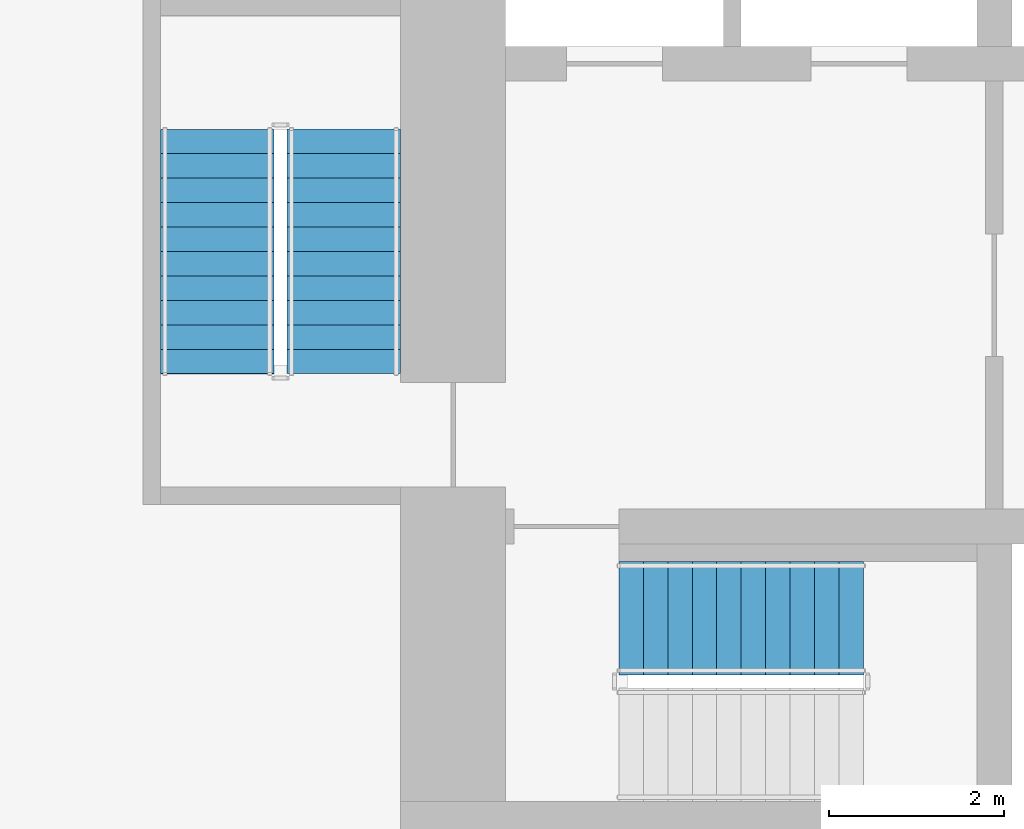
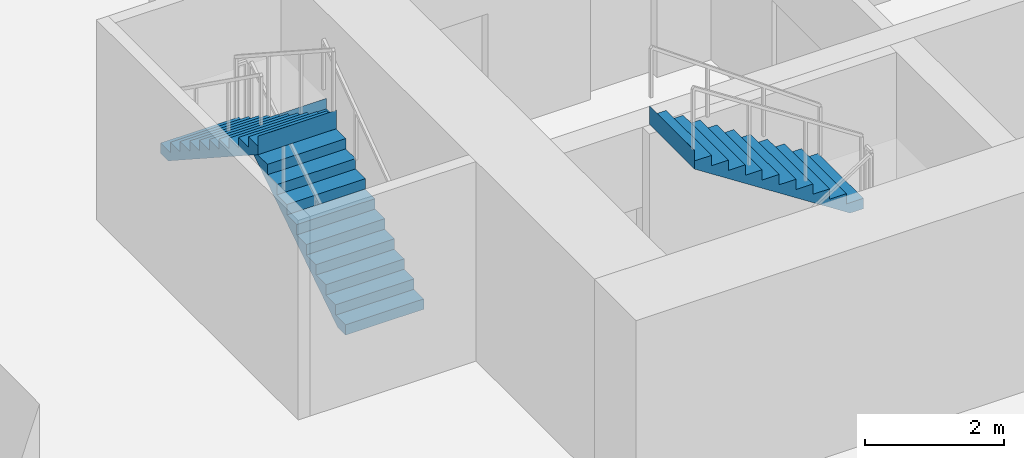
# One storey, part 33 of 45: 3 stair flights, 2 elements without a shape of their own.
"""IFC4 building model written with IfcOpenShell, lengths in metres."""

from ifc_helpers import new_model, si_unit, direction, frame, origin, place, context, subcontext, project, spatial, triangles, material, type_object, element, aggregate, save


model = new_model("IFC4")

# Units and contexts
model_context = context("Model", 3, precision=1e-05, world=origin(), true_north=direction((0.0, 1.0)))
body_context = subcontext(model_context, "Body", "Model", "MODEL_VIEW")
ifc_project = project(units=[si_unit("LENGTHUNIT", "METRE"), si_unit("AREAUNIT", "SQUARE_METRE"), si_unit("VOLUMEUNIT", "CUBIC_METRE"), si_unit("PLANEANGLEUNIT", "RADIAN"), si_unit("MASSUNIT", "GRAM", prefix="KILO")], contexts=[model_context])

# Site, building, storey
site_placement = place(None, origin())
site = spatial("IfcSite", under=ifc_project, at=site_placement, CompositionType="ELEMENT")
building_placement = place(site_placement, origin())
building = spatial("IfcBuilding", under=site, at=building_placement, Name="Beryl Residences", CompositionType="ELEMENT")
storey_placement = place(building_placement, frame((0.0, 0.0, 5.0)))
storey = spatial("IfcBuildingStorey", under=building, at=storey_placement, Name="L01", CompositionType="ELEMENT", Elevation=5.0)

# Stair, stair flight
ifc_material_1 = material(Name="Concrete C40/50", Category="concrete")
stair_type = type_object("IfcStairType", Name="ST1 protected exit stair, half-turn, 1300 mm flights", PredefinedType="HALF_TURN_STAIR", material=ifc_material_1)
stair_1_placement = place(storey_placement, origin())
stair_1 = element("IfcStair", 1, at=stair_1_placement, inside=storey, type_object=stair_type, Name="L01 PROTECTED EXIT STAIR ST-1", PredefinedType="HALF_TURN_STAIR")
ifc_material_2 = material(Name="Concrete C40/50", Category="concrete")
stair_flight_type = type_object("IfcStairFlightType", Name="SF1 stair flight 1300 mm", PredefinedType="STRAIGHT", material=ifc_material_2)
stair_flight_1_placement = place(storey_placement, frame((-8.0, -15.699951171875, 2.0), z_axis=(0.0, 0.0, 1.0), x_axis=(-1.0, 0.0, 0.0)))
stair_flight_1 = element("IfcStairFlight", 2, at=stair_flight_1_placement, type_object=stair_flight_type, Name="ST-1 flight 2", NumberOfRisers=11, NumberOfTreads=10, PredefinedType="STRAIGHT", RiserHeight=0.181818182, TreadLength=0.28, context=body_context, shape_type="Tessellation", body=[
    triangles([(0.0, -0.64990234375, 0.0), (0.0, -0.324951171875, 0.0), (0.0, 0.0, 0.0), (0.0, 0.324951171875, 0.0), (0.0, 0.64990234375, 0.0), (0.0, -0.64990234375, 0.181884765625), (0.0, -0.324951171875, 0.181884765625), (0.0, 0.0, 0.181884765625), (0.0, 0.324951171875, 0.181884765625), (0.0, 0.64990234375, 0.181884765625), (0.280029296875, -0.64990234375, 0.181884765625), (0.280029296875, -0.324951171875, 0.181884765625), (0.280029296875, 0.0, 0.181884765625), (0.280029296875, 0.324951171875, 0.181884765625), (0.280029296875, 0.64990234375, 0.181884765625), (0.280029296875, -0.64990234375, 0.363525390625), (0.280029296875, -0.324951171875, 0.363525390625), (0.280029296875, 0.0, 0.363525390625), (0.280029296875, 0.324951171875, 0.363525390625), (0.280029296875, 0.64990234375, 0.363525390625), (0.56005859375, -0.64990234375, 0.363525390625), (0.56005859375, -0.324951171875, 0.363525390625), (0.56005859375, 0.0, 0.363525390625), (0.56005859375, 0.324951171875, 0.363525390625), (0.56005859375, 0.64990234375, 0.363525390625), (0.56005859375, -0.64990234375, 0.54541015625), (0.56005859375, -0.324951171875, 0.54541015625), (0.56005859375, 0.0, 0.54541015625), (0.56005859375, 0.324951171875, 0.54541015625), (0.56005859375, 0.64990234375, 0.54541015625), (0.840087890625, -0.64990234375, 0.54541015625), (0.840087890625, -0.324951171875, 0.54541015625), (0.840087890625, 0.0, 0.54541015625), (0.840087890625, 0.324951171875, 0.54541015625), (0.840087890625, 0.64990234375, 0.54541015625), (0.840087890625, -0.64990234375, 0.727294921875), (0.840087890625, -0.324951171875, 0.727294921875), (0.840087890625, 0.0, 0.727294921875), (0.840087890625, 0.324951171875, 0.727294921875), (0.840087890625, 0.64990234375, 0.727294921875), (1.1201171875, -0.64990234375, 0.727294921875), (1.1201171875, -0.324951171875, 0.727294921875), (1.1201171875, 0.0, 0.727294921875), (1.1201171875, 0.324951171875, 0.727294921875), (1.1201171875, 0.64990234375, 0.727294921875), (1.1201171875, -0.64990234375, 0.9091796875), (1.1201171875, -0.324951171875, 0.9091796875), (1.1201171875, 0.0, 0.9091796875), (1.1201171875, 0.324951171875, 0.9091796875), (1.1201171875, 0.64990234375, 0.9091796875), (1.39990234375, -0.64990234375, 0.9091796875), (1.39990234375, -0.324951171875, 0.9091796875), (1.39990234375, 0.0, 0.9091796875), (1.39990234375, 0.324951171875, 0.9091796875), (1.39990234375, 0.64990234375, 0.9091796875), (1.39990234375, -0.64990234375, 1.0908203125), (1.39990234375, -0.324951171875, 1.0908203125), (1.39990234375, 0.0, 1.0908203125), (1.39990234375, 0.324951171875, 1.0908203125), (1.39990234375, 0.64990234375, 1.0908203125), (1.679931640625, -0.64990234375, 1.0908203125), (1.679931640625, -0.324951171875, 1.0908203125), (1.679931640625, 0.0, 1.0908203125), (1.679931640625, 0.324951171875, 1.0908203125), (1.679931640625, 0.64990234375, 1.0908203125), (1.679931640625, -0.64990234375, 1.272705078125), (1.679931640625, -0.324951171875, 1.272705078125), (1.679931640625, 0.0, 1.272705078125), (1.679931640625, 0.324951171875, 1.272705078125), (1.679931640625, 0.64990234375, 1.272705078125), (1.9599609375, -0.64990234375, 1.272705078125), (1.9599609375, -0.324951171875, 1.272705078125), (1.9599609375, 0.0, 1.272705078125), (1.9599609375, 0.324951171875, 1.272705078125), (1.9599609375, 0.64990234375, 1.272705078125), (1.9599609375, -0.64990234375, 1.45458984375), (1.9599609375, -0.324951171875, 1.45458984375), (1.9599609375, 0.0, 1.45458984375), (1.9599609375, 0.324951171875, 1.45458984375), (1.9599609375, 0.64990234375, 1.45458984375), (2.239990234375, -0.64990234375, 1.45458984375), (2.239990234375, -0.324951171875, 1.45458984375), (2.239990234375, 0.0, 1.45458984375), (2.239990234375, 0.324951171875, 1.45458984375), (2.239990234375, 0.64990234375, 1.45458984375), (2.239990234375, -0.64990234375, 1.636474609375), (2.239990234375, -0.324951171875, 1.636474609375), (2.239990234375, 0.0, 1.636474609375), (2.239990234375, 0.324951171875, 1.636474609375), (2.239990234375, 0.64990234375, 1.636474609375), (2.52001953125, -0.64990234375, 1.636474609375), (2.52001953125, -0.324951171875, 1.636474609375), (2.52001953125, 0.0, 1.636474609375), (2.52001953125, 0.324951171875, 1.636474609375), (2.52001953125, 0.64990234375, 1.636474609375), (2.52001953125, -0.64990234375, 1.818115234375), (2.52001953125, -0.324951171875, 1.818115234375), (2.52001953125, 0.0, 1.818115234375), (2.52001953125, 0.324951171875, 1.818115234375), (2.52001953125, 0.64990234375, 1.818115234375), (2.800048828125, -0.64990234375, 1.818115234375), (2.800048828125, -0.324951171875, 1.818115234375), (2.800048828125, 0.0, 1.818115234375), (2.800048828125, 0.324951171875, 1.818115234375), (2.800048828125, 0.64990234375, 1.818115234375), (2.800048828125, -0.64990234375, 2.0), (2.800048828125, -0.324951171875, 2.0), (2.800048828125, 0.0, 2.0), (2.800048828125, 0.324951171875, 2.0), (2.800048828125, 0.64990234375, 2.0), (2.801025390625, -0.64990234375, 2.0), (2.801025390625, -0.324951171875, 2.0), (2.801025390625, 0.0, 2.0), (2.801025390625, 0.324951171875, 2.0), (2.801025390625, 0.64990234375, 2.0), (2.801025390625, -0.64990234375, 1.675048828125), (2.801025390625, -0.324951171875, 1.675048828125), (2.801025390625, 0.0, 1.675048828125), (2.801025390625, 0.324951171875, 1.675048828125), (2.801025390625, 0.64990234375, 1.675048828125), (0.221435546875, -0.64990234375, 0.0), (0.221435546875, -0.324951171875, 0.0), (0.221435546875, 0.0, 0.0), (0.221435546875, 0.324951171875, 0.0), (0.221435546875, 0.64990234375, 0.0)], [[1, 6, 7], [1, 7, 2], [2, 7, 8], [2, 8, 3], [3, 8, 9], [3, 9, 4], [4, 9, 10], [4, 10, 5], [6, 11, 12], [6, 12, 7], [7, 12, 13], [7, 13, 8], [8, 13, 14], [8, 14, 9], [9, 14, 15], [9, 15, 10], [11, 16, 17], [11, 17, 12], [12, 17, 18], [12, 18, 13], [13, 18, 19], [13, 19, 14], [14, 19, 20], [14, 20, 15], [16, 21, 22], [16, 22, 17], [17, 22, 23], [17, 23, 18], [18, 23, 24], [18, 24, 19], [19, 24, 25], [19, 25, 20], [21, 26, 27], [21, 27, 22], [22, 27, 28], [22, 28, 23], [23, 28, 29], [23, 29, 24], [24, 29, 30], [24, 30, 25], [26, 31, 32], [26, 32, 27], [27, 32, 33], [27, 33, 28], [28, 33, 34], [28, 34, 29], [29, 34, 35], [29, 35, 30], [31, 36, 37], [31, 37, 32], [32, 37, 38], [32, 38, 33], [33, 38, 39], [33, 39, 34], [34, 39, 40], [34, 40, 35], [36, 41, 42], [36, 42, 37], [37, 42, 43], [37, 43, 38], [38, 43, 44], [38, 44, 39], [39, 44, 45], [39, 45, 40], [41, 46, 47], [41, 47, 42], [42, 47, 48], [42, 48, 43], [43, 48, 49], [43, 49, 44], [44, 49, 50], [44, 50, 45], [46, 51, 52], [46, 52, 47], [47, 52, 53], [47, 53, 48], [48, 53, 54], [48, 54, 49], [49, 54, 55], [49, 55, 50], [51, 56, 57], [51, 57, 52], [52, 57, 58], [52, 58, 53], [53, 58, 59], [53, 59, 54], [54, 59, 60], [54, 60, 55], [56, 61, 62], [56, 62, 57], [57, 62, 63], [57, 63, 58], [58, 63, 64], [58, 64, 59], [59, 64, 65], [59, 65, 60], [61, 66, 67], [61, 67, 62], [62, 67, 68], [62, 68, 63], [63, 68, 69], [63, 69, 64], [64, 69, 70], [64, 70, 65], [66, 71, 72], [66, 72, 67], [67, 72, 73], [67, 73, 68], [68, 73, 74], [68, 74, 69], [69, 74, 75], [69, 75, 70], [71, 76, 77], [71, 77, 72], [72, 77, 78], [72, 78, 73], [73, 78, 79], [73, 79, 74], [74, 79, 80], [74, 80, 75], [76, 81, 82], [76, 82, 77], [77, 82, 83], [77, 83, 78], [78, 83, 84], [78, 84, 79], [79, 84, 85], [79, 85, 80], [81, 86, 87], [81, 87, 82], [82, 87, 88], [82, 88, 83], [83, 88, 89], [83, 89, 84], [84, 89, 90], [84, 90, 85], [86, 91, 92], [86, 92, 87], [87, 92, 93], [87, 93, 88], [88, 93, 94], [88, 94, 89], [89, 94, 95], [89, 95, 90], [91, 96, 97], [91, 97, 92], [92, 97, 98], [92, 98, 93], [93, 98, 99], [93, 99, 94], [94, 99, 100], [94, 100, 95], [96, 101, 102], [96, 102, 97], [97, 102, 103], [97, 103, 98], [98, 103, 104], [98, 104, 99], [99, 104, 105], [99, 105, 100], [101, 106, 107], [101, 107, 102], [102, 107, 108], [102, 108, 103], [103, 108, 109], [103, 109, 104], [104, 109, 110], [104, 110, 105], [106, 111, 112], [106, 112, 107], [107, 112, 113], [107, 113, 108], [108, 113, 114], [108, 114, 109], [109, 114, 115], [109, 115, 110], [111, 116, 117], [111, 117, 112], [112, 117, 118], [112, 118, 113], [113, 118, 119], [113, 119, 114], [114, 119, 120], [114, 120, 115], [116, 121, 122], [116, 122, 117], [117, 122, 123], [117, 123, 118], [118, 123, 124], [118, 124, 119], [119, 124, 125], [119, 125, 120], [121, 1, 2], [121, 2, 122], [122, 2, 3], [122, 3, 123], [123, 3, 4], [123, 4, 124], [124, 4, 5], [124, 5, 125], [1, 121, 116], [5, 120, 125], [116, 111, 106], [120, 110, 115], [116, 106, 101], [120, 105, 110], [116, 101, 96], [120, 100, 105], [116, 96, 91], [120, 95, 100], [91, 86, 81], [95, 85, 90], [116, 91, 81], [120, 85, 95], [81, 76, 71], [85, 75, 80], [116, 81, 71], [120, 75, 85], [71, 66, 61], [75, 65, 70], [116, 71, 61], [120, 65, 75], [61, 56, 51], [65, 55, 60], [116, 61, 51], [120, 55, 65], [51, 46, 41], [55, 45, 50], [116, 51, 41], [120, 45, 55], [41, 36, 31], [45, 35, 40], [116, 41, 31], [120, 35, 45], [31, 26, 21], [35, 25, 30], [116, 31, 21], [120, 25, 35], [1, 116, 21], [5, 25, 120], [21, 16, 11], [25, 15, 20], [1, 21, 11], [5, 15, 25], [11, 6, 1], [15, 5, 10]], closed=True),
])
aggregate(stair_1, [stair_flight_1])

# Stair, stair flights
stair_2_placement = place(storey_placement, origin())
stair_2 = element("IfcStair", 3, at=stair_2_placement, inside=storey, type_object=stair_type, Name="L01 PROTECTED EXIT STAIR ST-2", PredefinedType="HALF_TURN_STAIR")
stair_flight_2_placement = place(storey_placement, frame((-13.949951171875, -12.89990234375, 0.0), z_axis=(0.0, 0.0, 1.0), x_axis=(0.0, 1.0, 0.0)))
stair_flight_2 = element("IfcStairFlight", 4, at=stair_flight_2_placement, type_object=stair_flight_type, Name="ST-2 flight 1", NumberOfRisers=11, NumberOfTreads=10, PredefinedType="STRAIGHT", RiserHeight=0.181818182, TreadLength=0.28, context=body_context, shape_type="Tessellation", body=[
    triangles([(0.0, -0.64990234375, 0.0), (0.0, -0.324951171875, 0.0), (0.0, 0.0, 0.0), (0.0, 0.324951171875, 0.0), (0.0, 0.64990234375, 0.0), (0.0, -0.64990234375, 0.181884765625), (0.0, -0.324951171875, 0.181884765625), (0.0, 0.0, 0.181884765625), (0.0, 0.324951171875, 0.181884765625), (0.0, 0.64990234375, 0.181884765625), (0.280029296875, -0.64990234375, 0.181884765625), (0.280029296875, -0.324951171875, 0.181884765625), (0.280029296875, 0.0, 0.181884765625), (0.280029296875, 0.324951171875, 0.181884765625), (0.280029296875, 0.64990234375, 0.181884765625), (0.280029296875, -0.64990234375, 0.363525390625), (0.280029296875, -0.324951171875, 0.363525390625), (0.280029296875, 0.0, 0.363525390625), (0.280029296875, 0.324951171875, 0.363525390625), (0.280029296875, 0.64990234375, 0.363525390625), (0.56005859375, -0.64990234375, 0.363525390625), (0.56005859375, -0.324951171875, 0.363525390625), (0.56005859375, 0.0, 0.363525390625), (0.56005859375, 0.324951171875, 0.363525390625), (0.56005859375, 0.64990234375, 0.363525390625), (0.56005859375, -0.64990234375, 0.54541015625), (0.56005859375, -0.324951171875, 0.54541015625), (0.56005859375, 0.0, 0.54541015625), (0.56005859375, 0.324951171875, 0.54541015625), (0.56005859375, 0.64990234375, 0.54541015625), (0.840087890625, -0.64990234375, 0.54541015625), (0.840087890625, -0.324951171875, 0.54541015625), (0.840087890625, 0.0, 0.54541015625), (0.840087890625, 0.324951171875, 0.54541015625), (0.840087890625, 0.64990234375, 0.54541015625), (0.840087890625, -0.64990234375, 0.727294921875), (0.840087890625, -0.324951171875, 0.727294921875), (0.840087890625, 0.0, 0.727294921875), (0.840087890625, 0.324951171875, 0.727294921875), (0.840087890625, 0.64990234375, 0.727294921875), (1.1201171875, -0.64990234375, 0.727294921875), (1.1201171875, -0.324951171875, 0.727294921875), (1.1201171875, 0.0, 0.727294921875), (1.1201171875, 0.324951171875, 0.727294921875), (1.1201171875, 0.64990234375, 0.727294921875), (1.1201171875, -0.64990234375, 0.9091796875), (1.1201171875, -0.324951171875, 0.9091796875), (1.1201171875, 0.0, 0.9091796875), (1.1201171875, 0.324951171875, 0.9091796875), (1.1201171875, 0.64990234375, 0.9091796875), (1.39990234375, -0.64990234375, 0.9091796875), (1.39990234375, -0.324951171875, 0.9091796875), (1.39990234375, 0.0, 0.9091796875), (1.39990234375, 0.324951171875, 0.9091796875), (1.39990234375, 0.64990234375, 0.9091796875), (1.39990234375, -0.64990234375, 1.0908203125), (1.39990234375, -0.324951171875, 1.0908203125), (1.39990234375, 0.0, 1.0908203125), (1.39990234375, 0.324951171875, 1.0908203125), (1.39990234375, 0.64990234375, 1.0908203125), (1.679931640625, -0.64990234375, 1.0908203125), (1.679931640625, -0.324951171875, 1.0908203125), (1.679931640625, 0.0, 1.0908203125), (1.679931640625, 0.324951171875, 1.0908203125), (1.679931640625, 0.64990234375, 1.0908203125), (1.679931640625, -0.64990234375, 1.272705078125), (1.679931640625, -0.324951171875, 1.272705078125), (1.679931640625, 0.0, 1.272705078125), (1.679931640625, 0.324951171875, 1.272705078125), (1.679931640625, 0.64990234375, 1.272705078125), (1.9599609375, -0.64990234375, 1.272705078125), (1.9599609375, -0.324951171875, 1.272705078125), (1.9599609375, 0.0, 1.272705078125), (1.9599609375, 0.324951171875, 1.272705078125), (1.9599609375, 0.64990234375, 1.272705078125), (1.9599609375, -0.64990234375, 1.45458984375), (1.9599609375, -0.324951171875, 1.45458984375), (1.9599609375, 0.0, 1.45458984375), (1.9599609375, 0.324951171875, 1.45458984375), (1.9599609375, 0.64990234375, 1.45458984375), (2.239990234375, -0.64990234375, 1.45458984375), (2.239990234375, -0.324951171875, 1.45458984375), (2.239990234375, 0.0, 1.45458984375), (2.239990234375, 0.324951171875, 1.45458984375), (2.239990234375, 0.64990234375, 1.45458984375), (2.239990234375, -0.64990234375, 1.636474609375), (2.239990234375, -0.324951171875, 1.636474609375), (2.239990234375, 0.0, 1.636474609375), (2.239990234375, 0.324951171875, 1.636474609375), (2.239990234375, 0.64990234375, 1.636474609375), (2.52001953125, -0.64990234375, 1.636474609375), (2.52001953125, -0.324951171875, 1.636474609375), (2.52001953125, 0.0, 1.636474609375), (2.52001953125, 0.324951171875, 1.636474609375), (2.52001953125, 0.64990234375, 1.636474609375), (2.52001953125, -0.64990234375, 1.818115234375), (2.52001953125, -0.324951171875, 1.818115234375), (2.52001953125, 0.0, 1.818115234375), (2.52001953125, 0.324951171875, 1.818115234375), (2.52001953125, 0.64990234375, 1.818115234375), (2.800048828125, -0.64990234375, 1.818115234375), (2.800048828125, -0.324951171875, 1.818115234375), (2.800048828125, 0.0, 1.818115234375), (2.800048828125, 0.324951171875, 1.818115234375), (2.800048828125, 0.64990234375, 1.818115234375), (2.800048828125, -0.64990234375, 2.0), (2.800048828125, -0.324951171875, 2.0), (2.800048828125, 0.0, 2.0), (2.800048828125, 0.324951171875, 2.0), (2.800048828125, 0.64990234375, 2.0), (2.801025390625, -0.64990234375, 2.0), (2.801025390625, -0.324951171875, 2.0), (2.801025390625, 0.0, 2.0), (2.801025390625, 0.324951171875, 2.0), (2.801025390625, 0.64990234375, 2.0), (2.801025390625, -0.64990234375, 1.675048828125), (2.801025390625, -0.324951171875, 1.675048828125), (2.801025390625, 0.0, 1.675048828125), (2.801025390625, 0.324951171875, 1.675048828125), (2.801025390625, 0.64990234375, 1.675048828125), (0.221435546875, -0.64990234375, 0.0), (0.221435546875, -0.324951171875, 0.0), (0.221435546875, 0.0, 0.0), (0.221435546875, 0.324951171875, 0.0), (0.221435546875, 0.64990234375, 0.0)], [[1, 6, 7], [1, 7, 2], [2, 7, 8], [2, 8, 3], [3, 8, 9], [3, 9, 4], [4, 9, 10], [4, 10, 5], [6, 11, 12], [6, 12, 7], [7, 12, 13], [7, 13, 8], [8, 13, 14], [8, 14, 9], [9, 14, 15], [9, 15, 10], [11, 16, 17], [11, 17, 12], [12, 17, 18], [12, 18, 13], [13, 18, 19], [13, 19, 14], [14, 19, 20], [14, 20, 15], [16, 21, 22], [16, 22, 17], [17, 22, 23], [17, 23, 18], [18, 23, 24], [18, 24, 19], [19, 24, 25], [19, 25, 20], [21, 26, 27], [21, 27, 22], [22, 27, 28], [22, 28, 23], [23, 28, 29], [23, 29, 24], [24, 29, 30], [24, 30, 25], [26, 31, 32], [26, 32, 27], [27, 32, 33], [27, 33, 28], [28, 33, 34], [28, 34, 29], [29, 34, 35], [29, 35, 30], [31, 36, 37], [31, 37, 32], [32, 37, 38], [32, 38, 33], [33, 38, 39], [33, 39, 34], [34, 39, 40], [34, 40, 35], [36, 41, 42], [36, 42, 37], [37, 42, 43], [37, 43, 38], [38, 43, 44], [38, 44, 39], [39, 44, 45], [39, 45, 40], [41, 46, 47], [41, 47, 42], [42, 47, 48], [42, 48, 43], [43, 48, 49], [43, 49, 44], [44, 49, 50], [44, 50, 45], [46, 51, 52], [46, 52, 47], [47, 52, 53], [47, 53, 48], [48, 53, 54], [48, 54, 49], [49, 54, 55], [49, 55, 50], [51, 56, 57], [51, 57, 52], [52, 57, 58], [52, 58, 53], [53, 58, 59], [53, 59, 54], [54, 59, 60], [54, 60, 55], [56, 61, 62], [56, 62, 57], [57, 62, 63], [57, 63, 58], [58, 63, 64], [58, 64, 59], [59, 64, 65], [59, 65, 60], [61, 66, 67], [61, 67, 62], [62, 67, 68], [62, 68, 63], [63, 68, 69], [63, 69, 64], [64, 69, 70], [64, 70, 65], [66, 71, 72], [66, 72, 67], [67, 72, 73], [67, 73, 68], [68, 73, 74], [68, 74, 69], [69, 74, 75], [69, 75, 70], [71, 76, 77], [71, 77, 72], [72, 77, 78], [72, 78, 73], [73, 78, 79], [73, 79, 74], [74, 79, 80], [74, 80, 75], [76, 81, 82], [76, 82, 77], [77, 82, 83], [77, 83, 78], [78, 83, 84], [78, 84, 79], [79, 84, 85], [79, 85, 80], [81, 86, 87], [81, 87, 82], [82, 87, 88], [82, 88, 83], [83, 88, 89], [83, 89, 84], [84, 89, 90], [84, 90, 85], [86, 91, 92], [86, 92, 87], [87, 92, 93], [87, 93, 88], [88, 93, 94], [88, 94, 89], [89, 94, 95], [89, 95, 90], [91, 96, 97], [91, 97, 92], [92, 97, 98], [92, 98, 93], [93, 98, 99], [93, 99, 94], [94, 99, 100], [94, 100, 95], [96, 101, 102], [96, 102, 97], [97, 102, 103], [97, 103, 98], [98, 103, 104], [98, 104, 99], [99, 104, 105], [99, 105, 100], [101, 106, 107], [101, 107, 102], [102, 107, 108], [102, 108, 103], [103, 108, 109], [103, 109, 104], [104, 109, 110], [104, 110, 105], [106, 111, 112], [106, 112, 107], [107, 112, 113], [107, 113, 108], [108, 113, 114], [108, 114, 109], [109, 114, 115], [109, 115, 110], [111, 116, 117], [111, 117, 112], [112, 117, 118], [112, 118, 113], [113, 118, 119], [113, 119, 114], [114, 119, 120], [114, 120, 115], [116, 121, 122], [116, 122, 117], [117, 122, 123], [117, 123, 118], [118, 123, 124], [118, 124, 119], [119, 124, 125], [119, 125, 120], [121, 1, 2], [121, 2, 122], [122, 2, 3], [122, 3, 123], [123, 3, 4], [123, 4, 124], [124, 4, 5], [124, 5, 125], [1, 121, 116], [5, 120, 125], [116, 111, 106], [120, 110, 115], [116, 106, 101], [120, 105, 110], [116, 101, 96], [120, 100, 105], [116, 96, 91], [120, 95, 100], [91, 86, 81], [95, 85, 90], [116, 91, 81], [120, 85, 95], [81, 76, 71], [85, 75, 80], [116, 81, 71], [120, 75, 85], [71, 66, 61], [75, 65, 70], [116, 71, 61], [120, 65, 75], [61, 56, 51], [65, 55, 60], [116, 61, 51], [120, 55, 65], [51, 46, 41], [55, 45, 50], [116, 51, 41], [120, 45, 55], [41, 36, 31], [45, 35, 40], [116, 41, 31], [120, 35, 45], [31, 26, 21], [35, 25, 30], [116, 31, 21], [120, 25, 35], [1, 116, 21], [5, 25, 120], [21, 16, 11], [25, 15, 20], [1, 21, 11], [5, 15, 25], [11, 6, 1], [15, 5, 10]], closed=True),
])
stair_flight_3_placement = place(storey_placement, frame((-15.39990234375, -10.10009765625, 2.0), z_axis=(0.0, 0.0, 1.0), x_axis=(0.0, -1.0, 0.0)))
stair_flight_3 = element("IfcStairFlight", 5, at=stair_flight_3_placement, type_object=stair_flight_type, Name="ST-2 flight 2", NumberOfRisers=11, NumberOfTreads=10, PredefinedType="STRAIGHT", RiserHeight=0.181818182, TreadLength=0.28, context=body_context, shape_type="Tessellation", body=[
    triangles([(0.0, -0.64990234375, 0.0), (0.0, -0.324951171875, 0.0), (0.0, 0.0, 0.0), (0.0, 0.324951171875, 0.0), (0.0, 0.64990234375, 0.0), (0.0, -0.64990234375, 0.181884765625), (0.0, -0.324951171875, 0.181884765625), (0.0, 0.0, 0.181884765625), (0.0, 0.324951171875, 0.181884765625), (0.0, 0.64990234375, 0.181884765625), (0.280029296875, -0.64990234375, 0.181884765625), (0.280029296875, -0.324951171875, 0.181884765625), (0.280029296875, 0.0, 0.181884765625), (0.280029296875, 0.324951171875, 0.181884765625), (0.280029296875, 0.64990234375, 0.181884765625), (0.280029296875, -0.64990234375, 0.363525390625), (0.280029296875, -0.324951171875, 0.363525390625), (0.280029296875, 0.0, 0.363525390625), (0.280029296875, 0.324951171875, 0.363525390625), (0.280029296875, 0.64990234375, 0.363525390625), (0.56005859375, -0.64990234375, 0.363525390625), (0.56005859375, -0.324951171875, 0.363525390625), (0.56005859375, 0.0, 0.363525390625), (0.56005859375, 0.324951171875, 0.363525390625), (0.56005859375, 0.64990234375, 0.363525390625), (0.56005859375, -0.64990234375, 0.54541015625), (0.56005859375, -0.324951171875, 0.54541015625), (0.56005859375, 0.0, 0.54541015625), (0.56005859375, 0.324951171875, 0.54541015625), (0.56005859375, 0.64990234375, 0.54541015625), (0.840087890625, -0.64990234375, 0.54541015625), (0.840087890625, -0.324951171875, 0.54541015625), (0.840087890625, 0.0, 0.54541015625), (0.840087890625, 0.324951171875, 0.54541015625), (0.840087890625, 0.64990234375, 0.54541015625), (0.840087890625, -0.64990234375, 0.727294921875), (0.840087890625, -0.324951171875, 0.727294921875), (0.840087890625, 0.0, 0.727294921875), (0.840087890625, 0.324951171875, 0.727294921875), (0.840087890625, 0.64990234375, 0.727294921875), (1.1201171875, -0.64990234375, 0.727294921875), (1.1201171875, -0.324951171875, 0.727294921875), (1.1201171875, 0.0, 0.727294921875), (1.1201171875, 0.324951171875, 0.727294921875), (1.1201171875, 0.64990234375, 0.727294921875), (1.1201171875, -0.64990234375, 0.9091796875), (1.1201171875, -0.324951171875, 0.9091796875), (1.1201171875, 0.0, 0.9091796875), (1.1201171875, 0.324951171875, 0.9091796875), (1.1201171875, 0.64990234375, 0.9091796875), (1.39990234375, -0.64990234375, 0.9091796875), (1.39990234375, -0.324951171875, 0.9091796875), (1.39990234375, 0.0, 0.9091796875), (1.39990234375, 0.324951171875, 0.9091796875), (1.39990234375, 0.64990234375, 0.9091796875), (1.39990234375, -0.64990234375, 1.0908203125), (1.39990234375, -0.324951171875, 1.0908203125), (1.39990234375, 0.0, 1.0908203125), (1.39990234375, 0.324951171875, 1.0908203125), (1.39990234375, 0.64990234375, 1.0908203125), (1.679931640625, -0.64990234375, 1.0908203125), (1.679931640625, -0.324951171875, 1.0908203125), (1.679931640625, 0.0, 1.0908203125), (1.679931640625, 0.324951171875, 1.0908203125), (1.679931640625, 0.64990234375, 1.0908203125), (1.679931640625, -0.64990234375, 1.272705078125), (1.679931640625, -0.324951171875, 1.272705078125), (1.679931640625, 0.0, 1.272705078125), (1.679931640625, 0.324951171875, 1.272705078125), (1.679931640625, 0.64990234375, 1.272705078125), (1.9599609375, -0.64990234375, 1.272705078125), (1.9599609375, -0.324951171875, 1.272705078125), (1.9599609375, 0.0, 1.272705078125), (1.9599609375, 0.324951171875, 1.272705078125), (1.9599609375, 0.64990234375, 1.272705078125), (1.9599609375, -0.64990234375, 1.45458984375), (1.9599609375, -0.324951171875, 1.45458984375), (1.9599609375, 0.0, 1.45458984375), (1.9599609375, 0.324951171875, 1.45458984375), (1.9599609375, 0.64990234375, 1.45458984375), (2.239990234375, -0.64990234375, 1.45458984375), (2.239990234375, -0.324951171875, 1.45458984375), (2.239990234375, 0.0, 1.45458984375), (2.239990234375, 0.324951171875, 1.45458984375), (2.239990234375, 0.64990234375, 1.45458984375), (2.239990234375, -0.64990234375, 1.636474609375), (2.239990234375, -0.324951171875, 1.636474609375), (2.239990234375, 0.0, 1.636474609375), (2.239990234375, 0.324951171875, 1.636474609375), (2.239990234375, 0.64990234375, 1.636474609375), (2.52001953125, -0.64990234375, 1.636474609375), (2.52001953125, -0.324951171875, 1.636474609375), (2.52001953125, 0.0, 1.636474609375), (2.52001953125, 0.324951171875, 1.636474609375), (2.52001953125, 0.64990234375, 1.636474609375), (2.52001953125, -0.64990234375, 1.818115234375), (2.52001953125, -0.324951171875, 1.818115234375), (2.52001953125, 0.0, 1.818115234375), (2.52001953125, 0.324951171875, 1.818115234375), (2.52001953125, 0.64990234375, 1.818115234375), (2.800048828125, -0.64990234375, 1.818115234375), (2.800048828125, -0.324951171875, 1.818115234375), (2.800048828125, 0.0, 1.818115234375), (2.800048828125, 0.324951171875, 1.818115234375), (2.800048828125, 0.64990234375, 1.818115234375), (2.800048828125, -0.64990234375, 2.0), (2.800048828125, -0.324951171875, 2.0), (2.800048828125, 0.0, 2.0), (2.800048828125, 0.324951171875, 2.0), (2.800048828125, 0.64990234375, 2.0), (2.801025390625, -0.64990234375, 2.0), (2.801025390625, -0.324951171875, 2.0), (2.801025390625, 0.0, 2.0), (2.801025390625, 0.324951171875, 2.0), (2.801025390625, 0.64990234375, 2.0), (2.801025390625, -0.64990234375, 1.675048828125), (2.801025390625, -0.324951171875, 1.675048828125), (2.801025390625, 0.0, 1.675048828125), (2.801025390625, 0.324951171875, 1.675048828125), (2.801025390625, 0.64990234375, 1.675048828125), (0.221435546875, -0.64990234375, 0.0), (0.221435546875, -0.324951171875, 0.0), (0.221435546875, 0.0, 0.0), (0.221435546875, 0.324951171875, 0.0), (0.221435546875, 0.64990234375, 0.0)], [[1, 6, 7], [1, 7, 2], [2, 7, 8], [2, 8, 3], [3, 8, 9], [3, 9, 4], [4, 9, 10], [4, 10, 5], [6, 11, 12], [6, 12, 7], [7, 12, 13], [7, 13, 8], [8, 13, 14], [8, 14, 9], [9, 14, 15], [9, 15, 10], [11, 16, 17], [11, 17, 12], [12, 17, 18], [12, 18, 13], [13, 18, 19], [13, 19, 14], [14, 19, 20], [14, 20, 15], [16, 21, 22], [16, 22, 17], [17, 22, 23], [17, 23, 18], [18, 23, 24], [18, 24, 19], [19, 24, 25], [19, 25, 20], [21, 26, 27], [21, 27, 22], [22, 27, 28], [22, 28, 23], [23, 28, 29], [23, 29, 24], [24, 29, 30], [24, 30, 25], [26, 31, 32], [26, 32, 27], [27, 32, 33], [27, 33, 28], [28, 33, 34], [28, 34, 29], [29, 34, 35], [29, 35, 30], [31, 36, 37], [31, 37, 32], [32, 37, 38], [32, 38, 33], [33, 38, 39], [33, 39, 34], [34, 39, 40], [34, 40, 35], [36, 41, 42], [36, 42, 37], [37, 42, 43], [37, 43, 38], [38, 43, 44], [38, 44, 39], [39, 44, 45], [39, 45, 40], [41, 46, 47], [41, 47, 42], [42, 47, 48], [42, 48, 43], [43, 48, 49], [43, 49, 44], [44, 49, 50], [44, 50, 45], [46, 51, 52], [46, 52, 47], [47, 52, 53], [47, 53, 48], [48, 53, 54], [48, 54, 49], [49, 54, 55], [49, 55, 50], [51, 56, 57], [51, 57, 52], [52, 57, 58], [52, 58, 53], [53, 58, 59], [53, 59, 54], [54, 59, 60], [54, 60, 55], [56, 61, 62], [56, 62, 57], [57, 62, 63], [57, 63, 58], [58, 63, 64], [58, 64, 59], [59, 64, 65], [59, 65, 60], [61, 66, 67], [61, 67, 62], [62, 67, 68], [62, 68, 63], [63, 68, 69], [63, 69, 64], [64, 69, 70], [64, 70, 65], [66, 71, 72], [66, 72, 67], [67, 72, 73], [67, 73, 68], [68, 73, 74], [68, 74, 69], [69, 74, 75], [69, 75, 70], [71, 76, 77], [71, 77, 72], [72, 77, 78], [72, 78, 73], [73, 78, 79], [73, 79, 74], [74, 79, 80], [74, 80, 75], [76, 81, 82], [76, 82, 77], [77, 82, 83], [77, 83, 78], [78, 83, 84], [78, 84, 79], [79, 84, 85], [79, 85, 80], [81, 86, 87], [81, 87, 82], [82, 87, 88], [82, 88, 83], [83, 88, 89], [83, 89, 84], [84, 89, 90], [84, 90, 85], [86, 91, 92], [86, 92, 87], [87, 92, 93], [87, 93, 88], [88, 93, 94], [88, 94, 89], [89, 94, 95], [89, 95, 90], [91, 96, 97], [91, 97, 92], [92, 97, 98], [92, 98, 93], [93, 98, 99], [93, 99, 94], [94, 99, 100], [94, 100, 95], [96, 101, 102], [96, 102, 97], [97, 102, 103], [97, 103, 98], [98, 103, 104], [98, 104, 99], [99, 104, 105], [99, 105, 100], [101, 106, 107], [101, 107, 102], [102, 107, 108], [102, 108, 103], [103, 108, 109], [103, 109, 104], [104, 109, 110], [104, 110, 105], [106, 111, 112], [106, 112, 107], [107, 112, 113], [107, 113, 108], [108, 113, 114], [108, 114, 109], [109, 114, 115], [109, 115, 110], [111, 116, 117], [111, 117, 112], [112, 117, 118], [112, 118, 113], [113, 118, 119], [113, 119, 114], [114, 119, 120], [114, 120, 115], [116, 121, 122], [116, 122, 117], [117, 122, 123], [117, 123, 118], [118, 123, 124], [118, 124, 119], [119, 124, 125], [119, 125, 120], [121, 1, 2], [121, 2, 122], [122, 2, 3], [122, 3, 123], [123, 3, 4], [123, 4, 124], [124, 4, 5], [124, 5, 125], [1, 121, 116], [5, 120, 125], [116, 111, 106], [120, 110, 115], [116, 106, 101], [120, 105, 110], [116, 101, 96], [120, 100, 105], [116, 96, 91], [120, 95, 100], [91, 86, 81], [95, 85, 90], [116, 91, 81], [120, 85, 95], [81, 76, 71], [85, 75, 80], [116, 81, 71], [120, 75, 85], [71, 66, 61], [75, 65, 70], [116, 71, 61], [120, 65, 75], [61, 56, 51], [65, 55, 60], [116, 61, 51], [120, 55, 65], [51, 46, 41], [55, 45, 50], [116, 51, 41], [120, 45, 55], [41, 36, 31], [45, 35, 40], [116, 41, 31], [120, 35, 45], [31, 26, 21], [35, 25, 30], [116, 31, 21], [120, 25, 35], [1, 116, 21], [5, 25, 120], [21, 16, 11], [25, 15, 20], [1, 21, 11], [5, 15, 25], [11, 6, 1], [15, 5, 10]], closed=True),
])
aggregate(stair_2, [stair_flight_2, stair_flight_3])

save(model, "model.ifc")
